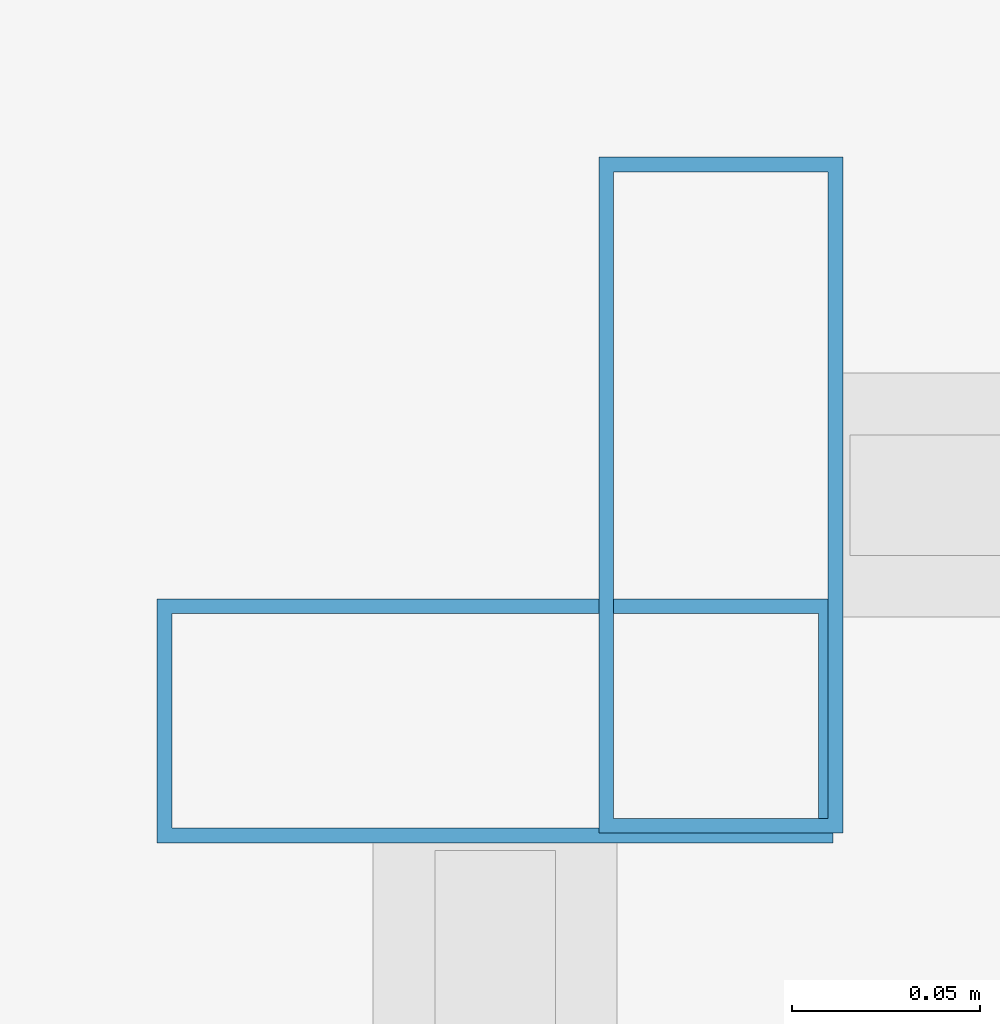
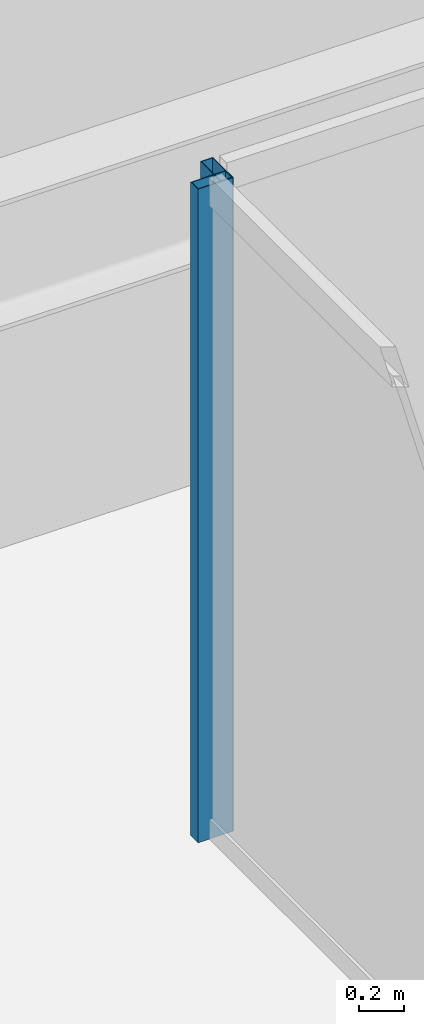
# One storey, part 13 of 35: 2 members, 2 elements without a shape of their own.
"""IFC4 building model written with IfcOpenShell, lengths in metres."""

from ifc_helpers import new_model, si_unit, direction, frame, origin, origin_2d, place, context, subcontext, project, spatial, hollow_rectangle, extrude, material, material_profile, profile_set, type_object, element, aggregate, save


model = new_model("IFC4")

# Units and contexts
model_context = context("Model", 3, precision=1e-05, world=origin(), true_north=direction((0.0, 1.0)))
body_context = subcontext(model_context, "Body", "Model", "MODEL_VIEW")
ifc_project = project(units=[si_unit("LENGTHUNIT", "METRE"), si_unit("AREAUNIT", "SQUARE_METRE"), si_unit("VOLUMEUNIT", "CUBIC_METRE"), si_unit("PLANEANGLEUNIT", "RADIAN"), si_unit("MASSUNIT", "GRAM", prefix="KILO")], contexts=[model_context])

# Site, building, storey
site_placement = place(None, origin())
site = spatial("IfcSite", under=ifc_project, at=site_placement, CompositionType="ELEMENT")
building_placement = place(site_placement, origin())
building = spatial("IfcBuilding", under=site, at=building_placement, Name="Saevonmaru Cultural Tower", CompositionType="ELEMENT")
storey_placement = place(building_placement, frame((0.0, 0.0, 217.0)))
storey = spatial("IfcBuildingStorey", under=building, at=storey_placement, Name="L50", CompositionType="ELEMENT", Elevation=217.0)

# Curtain wall, member
ifc_material = material(Name="Satin Bronze Anodised Aluminium", Category="aluminium")
curtain_wall_type = type_object("IfcCurtainWallType", Name="CW-ATR-GLZ", PredefinedType="NOTDEFINED", material=ifc_material)
curtain_wall_1_placement = place(storey_placement, origin())
curtain_wall_1 = element("IfcCurtainWall", 1, at=curtain_wall_1_placement, inside=storey, type_object=curtain_wall_type, Name="L50 Vertical Atrium Glazed Smoke Screen 3", PredefinedType="NOTDEFINED")
ifc_material_profile = material_profile(ifc_material, hollow_rectangle(XDim=0.06494140625, YDim=0.179931640625, WallThickness=0.00390625, at=origin_2d()), Name="ALU-MULL-180x65x4")
ifc_profile_set = profile_set([ifc_material_profile], Name="Satin Bronze Anodised Aluminium")
member_type = type_object("IfcMemberType", Name="ML-CW-INT-180x65", PredefinedType="MULLION", material=ifc_profile_set)
member_1_placement = place(storey_placement, frame((24.110107421875, 36.550048828125, 0.0), z_axis=(0.0, 0.0, 1.0), x_axis=(-1.0, 0.0, 0.0)))
member_1 = element("IfcMember", 2, at=member_1_placement, type_object=member_type, Name="CW-ATR-L50-3 mullion 2", PredefinedType="MULLION", context=body_context, shape_type="SweptSolid", body=[
    extrude(hollow_rectangle(XDim=0.06494140625, YDim=0.179931640625, WallThickness=0.00390625, at=origin_2d()), origin(), (0.0, 0.0, 1.0), 3.550048828125),
])
aggregate(curtain_wall_1, [member_1])

curtain_wall_2_placement = place(storey_placement, origin())
curtain_wall_2 = element("IfcCurtainWall", 3, at=curtain_wall_2_placement, inside=storey, type_object=curtain_wall_type, Name="L50 Vertical Atrium Glazed Smoke Screen 4", PredefinedType="NOTDEFINED")
member_2_placement = place(storey_placement, frame((24.050048828125, 36.489990234375, 0.0), z_axis=(0.0, 0.0, 1.0), x_axis=(0.0, -1.0, 0.0)))
member_2 = element("IfcMember", 4, at=member_2_placement, type_object=member_type, Name="CW-ATR-L50-4 mullion 1", PredefinedType="MULLION", context=body_context, shape_type="SweptSolid", body=[
    extrude(hollow_rectangle(XDim=0.06494140625, YDim=0.179931640625, WallThickness=0.00390625, at=origin_2d()), origin(), (0.0, 0.0, 1.0), 3.550048828125),
])
aggregate(curtain_wall_2, [member_2])

save(model, "model.ifc")
